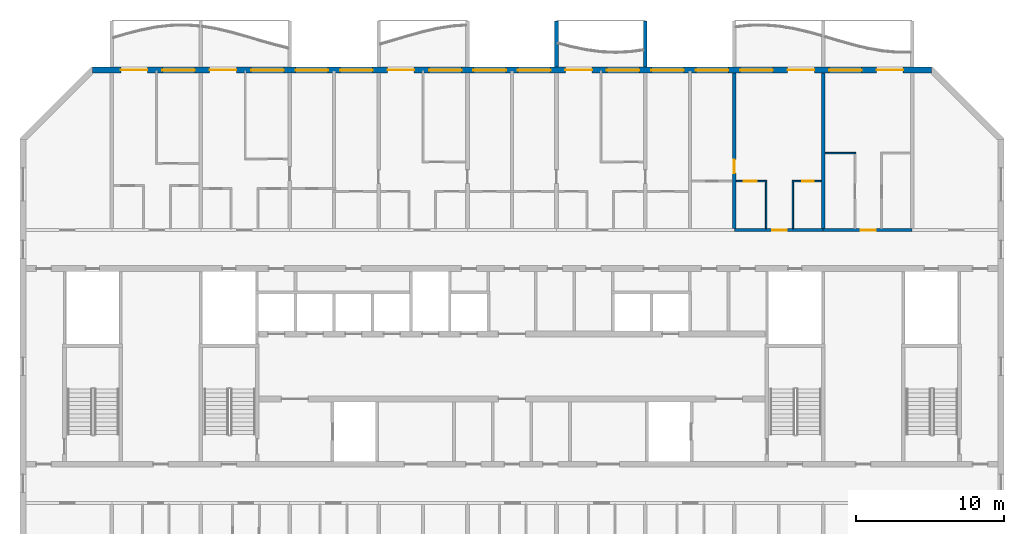
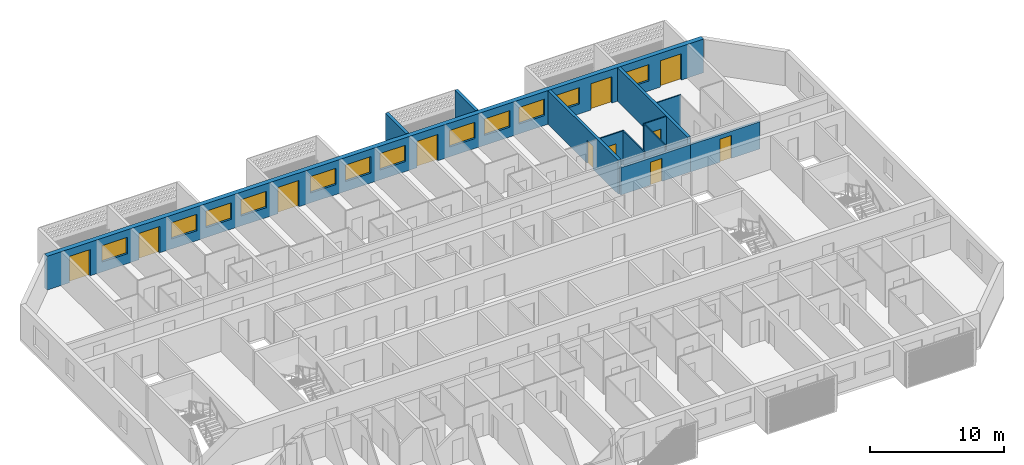
# One storey, part 10 of 27: 12 walls, 12 windows, 11 doors, 23 openings.
"""IFC4 building model written with IfcOpenShell, lengths in metres."""

import ifcopenshell
import ifcopenshell.guid

model = None  # the IFC model being written
_history = None  # IfcOwnerHistory: only IFC2X3 demands one
_inside = {}  # id of a spatial element -> (the spatial element, [elements in it])
_under = {}  # id of a project, library or spatial element -> (it, [spatial elements below it])
_declared = {}  # id of a project -> (the project, [libraries it declares])
_typed = {}  # id of a type object -> (the type object, [elements of that type])
_made_of = {}  # id of a material, layer set ... -> (it, [elements and type objects made of it])


def new_model(schema):
    """Start an empty IFC model of exactly this schema.

    Asked for "IFC4X3", IfcOpenShell would pick the latest addendum, in which some entities
    have other attributes; the version numbers below select the first issue.
    IFC2X3 requires an IfcOwnerHistory on every rooted entity: one is made here for all.
    """
    global model, _history
    if schema == "IFC4X3":
        model = ifcopenshell.file(schema_version=(4, 3, 0, 0))
    else:
        model = ifcopenshell.file(schema=schema)
    _inside.clear()
    _under.clear()
    _declared.clear()
    _typed.clear()
    _made_of.clear()
    _history = None
    if model.schema == "IFC2X3":
        org = make("IfcOrganization", Name="unknown")
        user = make(
            "IfcPersonAndOrganization",
            ThePerson=make("IfcPerson", FamilyName="unknown"),
            TheOrganization=org,
        )
        app = make(
            "IfcApplication",
            ApplicationDeveloper=org,
            Version="unknown",
            ApplicationFullName="unknown",
            ApplicationIdentifier="unknown",
        )
        _history = make(
            "IfcOwnerHistory",
            OwningUser=user,
            OwningApplication=app,
            ChangeAction="ADDED",
            CreationDate=0,
        )
    return model


def make(cls, **values):
    """One entity of the class cls with the attributes given. An attribute that is None is left unset."""
    return model.create_entity(
        cls, **{name: value for name, value in values.items() if value is not None}
    )


def rooted(cls, **values):
    """An entity with a GlobalId (a new one), such as an element, a storey or a relation."""
    return make(cls, GlobalId=ifcopenshell.guid.new(), OwnerHistory=_history, **values)


def si_unit(unit_type, name, prefix=None):
    """IfcSIUnit, for example si_unit("LENGTHUNIT", "METRE", prefix="MILLI")."""
    return make("IfcSIUnit", UnitType=unit_type, Prefix=prefix, Name=name)


def assignment(units):
    """IfcUnitAssignment: the units of a project."""
    return None if units is None else make("IfcUnitAssignment", Units=units)


def point(xyz):
    """IfcCartesianPoint."""
    return None if xyz is None else make("IfcCartesianPoint", Coordinates=xyz)


def direction(xyz):
    """IfcDirection."""
    return None if xyz is None else make("IfcDirection", DirectionRatios=xyz)


def frame(location, z_axis=None, x_axis=None):
    """IfcAxis2Placement3D, a coordinate frame: its origin and axes. An axis left out is left unset."""
    return make(
        "IfcAxis2Placement3D",
        Location=point(location),
        Axis=direction(z_axis),
        RefDirection=direction(x_axis),
    )


def frame_2d(location, x_axis=None):
    """IfcAxis2Placement2D, a coordinate frame in the plane: its origin and x axis."""
    return make(
        "IfcAxis2Placement2D", Location=point(location), RefDirection=direction(x_axis)
    )


def origin():
    """The frame at (0, 0, 0) with its axes left unset."""
    return frame((0.0, 0.0, 0.0))


def place(relative_to, where):
    """IfcLocalPlacement: puts the frame where relative to a parent placement (None: the world)."""
    return make(
        "IfcLocalPlacement", PlacementRelTo=relative_to, RelativePlacement=where
    )


def context(
    kind, dimensions, precision=None, world=None, true_north=None, identifier=None
):
    """IfcGeometricRepresentationContext, for example the 3D "Model" context."""
    return make(
        "IfcGeometricRepresentationContext",
        ContextIdentifier=identifier,
        ContextType=kind,
        CoordinateSpaceDimension=dimensions,
        Precision=precision,
        WorldCoordinateSystem=world,
        TrueNorth=true_north,
    )


def subcontext(parent, identifier, kind, view, scale=None):
    """IfcGeometricRepresentationSubContext, for example "Body" below "Model"."""
    return make(
        "IfcGeometricRepresentationSubContext",
        ContextIdentifier=identifier,
        ContextType=kind,
        ParentContext=parent,
        TargetScale=scale,
        TargetView=view,
    )


def project(units=None, contexts=None):
    """IfcProject with its units and contexts."""
    return rooted(
        "IfcProject",
        Name="project",
        RepresentationContexts=contexts,
        UnitsInContext=assignment(units),
    )


def spatial(cls, under=None, at=None, **own):
    """A site, building, storey or space (cls), placed at a placement, below another one or the project."""
    s = rooted(cls, ObjectPlacement=at, **own)
    if under is not None:
        _under.setdefault(under.id(), (under, []))[1].append(s)
    return s


def polyline(points):
    """IfcPolyline through the points."""
    return make("IfcPolyline", Points=[point(p) for p in points])


def profile(cls, at=None, kind="AREA", **sizes):
    """A parametric profile (cls). Its sizes go by their IFC names, for example OverallWidth=200.0."""
    return make(cls, ProfileType=kind, Position=at, **sizes)


def rectangle(**sizes):
    """IfcRectangleProfileDef."""
    return profile("IfcRectangleProfileDef", **sizes)


def outline(outer, holes=None, kind="AREA"):
    """IfcArbitraryClosedProfileDef: a profile drawn as a closed curve; with holes, ...WithVoids."""
    if holes is None:
        return make("IfcArbitraryClosedProfileDef", ProfileType=kind, OuterCurve=outer)
    return make(
        "IfcArbitraryProfileDefWithVoids",
        ProfileType=kind,
        OuterCurve=outer,
        InnerCurves=holes,
    )


def extrude(swept, where, along, depth):
    """IfcExtrudedAreaSolid: the profile swept, set in the frame where, extruded along a direction by depth."""
    return make(
        "IfcExtrudedAreaSolid",
        SweptArea=swept,
        Position=where,
        ExtrudedDirection=direction(along),
        Depth=depth,
    )


def shape(context_of_items, identifier, shape_type, items):
    """IfcShapeRepresentation: the items that make up one representation, for example the "Body"."""
    return make(
        "IfcShapeRepresentation",
        ContextOfItems=context_of_items,
        RepresentationIdentifier=identifier,
        RepresentationType=shape_type,
        Items=items,
    )


def source(mapping_origin, context_of_items, identifier, shape_type, items):
    """IfcRepresentationMap: a shape defined once, which mapped items show again and again."""
    return make(
        "IfcRepresentationMap",
        MappingOrigin=mapping_origin,
        MappedRepresentation=shape(context_of_items, identifier, shape_type, items),
    )


def transform(
    local_origin,
    x_axis=None,
    y_axis=None,
    z_axis=None,
    scale=None,
    scale2=None,
    scale3=None,
    uniform=True,
):
    """IfcCartesianTransformationOperator3D, or its non-uniform kind. x_axis, y_axis, z_axis: its Axis1, 2, 3."""
    if uniform:
        return make(
            "IfcCartesianTransformationOperator3D",
            Axis1=direction(x_axis),
            Axis2=direction(y_axis),
            LocalOrigin=point(local_origin),
            Scale=scale,
            Axis3=direction(z_axis),
        )
    return make(
        "IfcCartesianTransformationOperator3DnonUniform",
        Axis1=direction(x_axis),
        Axis2=direction(y_axis),
        LocalOrigin=point(local_origin),
        Scale=scale,
        Axis3=direction(z_axis),
        Scale2=scale2,
        Scale3=scale3,
    )


def mapped(mapping_source, mapping_target):
    """IfcMappedItem: shows the shape of a source again, moved by a transform."""
    return make(
        "IfcMappedItem", MappingSource=mapping_source, MappingTarget=mapping_target
    )


def material(Name=None, Category=None):
    """IfcMaterial."""
    return make("IfcMaterial", Name=Name, Category=Category)


def layer(
    of_material, thickness, ventilated=None, Name=None, Category=None, Priority=None
):
    """IfcMaterialLayer: one layer of a wall or slab, of a material (None: an air gap)."""
    return make(
        "IfcMaterialLayer",
        Material=of_material,
        LayerThickness=thickness,
        IsVentilated=ventilated,
        Name=Name,
        Category=Category,
        Priority=Priority,
    )


def layer_set(layers, Name=None):
    """IfcMaterialLayerSet."""
    return make("IfcMaterialLayerSet", MaterialLayers=layers, LayerSetName=Name)


def made_of(thing, what):
    """Note that an element or type object is made of a material, layer set ...; save() writes the relation."""
    if what is not None:
        _made_of.setdefault(what.id(), (what, []))[1].append(thing)
    return thing


def type_object(cls, material=None, **own):
    """A type object (cls), such as IfcWallType, which elements share."""
    return made_of(rooted(cls, **own), material)


def element(
    cls,
    number,
    at=None,
    inside=None,
    cuts=None,
    type_object=None,
    material=None,
    context=None,
    identifier="Body",
    shape_type=None,
    held_by="IfcProductDefinitionShape",
    body=None,
    shapes=None,
    **own,
):
    """One element of the class cls, such as IfcWall. Its Tag is "e" and its number.

    at: its placement. inside: the storey or other place that contains it. cuts: it is an
    opening in that element (IfcRelVoidsElement). A single representation is given by context,
    identifier, shape_type and body (its items); several are given by shapes. held_by: the class
    of the entity that holds the representations. save() writes the other relations.
    """
    e = rooted(cls, Tag="e%d" % number, ObjectPlacement=at, **own)
    if body is not None:
        shapes = [shape(context, identifier, shape_type, body)]
    if shapes is not None:
        e.Representation = make(held_by, Representations=shapes)
    if inside is not None:
        _inside.setdefault(inside.id(), (inside, []))[1].append(e)
    if cuts is not None:
        rooted(
            "IfcRelVoidsElement", RelatingBuildingElement=cuts, RelatedOpeningElement=e
        )
    if type_object is not None:
        _typed.setdefault(type_object.id(), (type_object, []))[1].append(e)
    return made_of(e, material)


def fill(opening, filler):
    """IfcRelFillsElement: the door or window that sits in an opening."""
    return rooted(
        "IfcRelFillsElement",
        RelatingOpeningElement=opening,
        RelatedBuildingElement=filler,
    )


def aggregate(whole, parts):
    """IfcRelAggregates: a whole, such as a stair, and the parts it consists of."""
    return rooted("IfcRelAggregates", RelatingObject=whole, RelatedObjects=parts)


def save(model, path):
    """Write the relations noted so far, then the file.

    IfcRelAggregates (storeys below a building ...), IfcRelContainedInSpatialStructure (elements
    in a storey), IfcRelDefinesByType, IfcRelAssociatesMaterial and IfcRelDeclares: one each for
    every whole, place, type object, material and project.
    """
    for whole, parts in _under.values():
        aggregate(whole, parts)
    for where, things in _inside.values():
        rooted(
            "IfcRelContainedInSpatialStructure",
            RelatedElements=things,
            RelatingStructure=where,
        )
    for kind, things in _typed.values():
        rooted("IfcRelDefinesByType", RelatedObjects=things, RelatingType=kind)
    for what, things in _made_of.values():
        rooted("IfcRelAssociatesMaterial", RelatedObjects=things, RelatingMaterial=what)
    for by, libraries in _declared.values():
        rooted("IfcRelDeclares", RelatingContext=by, RelatedDefinitions=libraries)
    model.write(path)


model = new_model("IFC4")

# Units and contexts
model_context = context("Model", 3, precision=1e-05, world=origin(), true_north=direction((0.0, 1.0)))
body_context = subcontext(model_context, "Body", "Model", "MODEL_VIEW")
ifc_project = project(units=[si_unit("LENGTHUNIT", "METRE"), si_unit("AREAUNIT", "SQUARE_METRE"), si_unit("VOLUMEUNIT", "CUBIC_METRE"), si_unit("PLANEANGLEUNIT", "RADIAN"), si_unit("MASSUNIT", "GRAM", prefix="KILO")], contexts=[model_context])

# Site, building, storey
site_placement = place(None, origin())
site = spatial("IfcSite", under=ifc_project, at=site_placement, CompositionType="ELEMENT")
building_placement = place(site_placement, origin())
building = spatial("IfcBuilding", under=site, at=building_placement, Name="Poui Terraces", CompositionType="ELEMENT")
storey_placement = place(building_placement, frame((0.0, 0.0, 198.300048828125)))
storey = spatial("IfcBuildingStorey", under=building, at=storey_placement, Name="L55", CompositionType="ELEMENT", Elevation=198.300048828125)

# Wall, opening, door
ifc_material_1 = material(Name="Concrete 50 MPa", Category="concrete")
ifc_layer_1 = layer(ifc_material_1, 0.199951171875)
ifc_layer_set_1 = layer_set([ifc_layer_1], Name="Concrete 50 MPa")
wall_type_1 = type_object("IfcWallType", Name="CORRIDOR WALL 200 50MPa", PredefinedType="SHEAR", material=ifc_layer_set_1)
wall_1_placement = place(storey_placement, frame((66.0, 30.39990234375, 0.0), z_axis=(0.0, 0.0, 1.0), x_axis=(1.0, 0.0, 0.0)))
wall_1 = element("IfcWall", 1, at=wall_1_placement, inside=storey, type_object=wall_type_1, Name="CORRIDOR WALL LINE E BAY 9", PredefinedType="SHEAR", context=body_context, shape_type="SweptSolid", body=[
    extrude(rectangle(XDim=6.0, YDim=0.199951171875, at=frame_2d((3.0, 0.0))), origin(), (0.0, 0.0, 1.0), 2.47998046875),
])
opening_1_placement = place(wall_1_placement, frame((2.550048828125, 0.0, 0.0)))
opening_1 = element("IfcOpeningElement", 2, at=opening_1_placement, cuts=wall_1, Name="Opening FD30S", PredefinedType="OPENING", context=body_context, shape_type="SweptSolid", body=[
    extrude(rectangle(XDim=1.0, YDim=2.10009765625, at=frame_2d((0.5, 1.050048828125))), frame((0.0, 0.10986328125, 0.0), z_axis=(0.0, -1.0, 0.0), x_axis=(1.0, 0.0, 0.0)), (0.0, 0.0, 1.0), 0.219970703125),
])
ifc_material_2 = material(Name="Steel fire door", Category="steel")
door_type_1 = type_object("IfcDoorType", Name="FLAT ENTRANCE DOOR 1000 X 2100", OperationType="NOTDEFINED", PredefinedType="DOOR", material=ifc_material_2)
door_1_placement = place(opening_1_placement, origin())
door_1 = element("IfcDoor", 3, at=door_1_placement, inside=storey, type_object=door_type_1, Name="FLAT ENTRANCE DOOR 057", OperationType="SINGLE_SWING_RIGHT", OverallHeight=2.10009765625, OverallWidth=1.0, PredefinedType="DOOR", context=body_context, shape_type="SweptSolid", body=[
    extrude(rectangle(XDim=1.0, YDim=2.10009765625, at=frame_2d((0.5, 1.050048828125))), frame((0.0, 0.02490234375, 0.0), z_axis=(0.0, -1.0, 0.0), x_axis=(1.0, 0.0, 0.0)), (0.0, 0.0, 1.0), 0.050048828125),
])
fill(opening_1, door_1)

wall_2_placement = place(storey_placement, frame((72.0, 30.39990234375, 0.0), z_axis=(0.0, 0.0, 1.0), x_axis=(1.0, 0.0, 0.0)))
wall_2 = element("IfcWall", 4, at=wall_2_placement, inside=storey, type_object=wall_type_1, Name="CORRIDOR WALL LINE E BAY 10", PredefinedType="SHEAR", context=body_context, shape_type="SweptSolid", body=[
    extrude(rectangle(XDim=6.0, YDim=0.199951171875, at=frame_2d((3.0, 0.0))), origin(), (0.0, 0.0, 1.0), 2.47998046875),
])
opening_2_placement = place(wall_2_placement, frame((2.550048828125, 0.0, 0.0)))
opening_2 = element("IfcOpeningElement", 5, at=opening_2_placement, cuts=wall_2, Name="Opening FD30S", PredefinedType="OPENING", context=body_context, shape_type="SweptSolid", body=[
    extrude(rectangle(XDim=1.0, YDim=2.10009765625, at=frame_2d((0.5, 1.050048828125))), frame((0.0, 0.10986328125, 0.0), z_axis=(0.0, -1.0, 0.0), x_axis=(1.0, 0.0, 0.0)), (0.0, 0.0, 1.0), 0.219970703125),
])
door_2_placement = place(opening_2_placement, origin())
door_2 = element("IfcDoor", 6, at=door_2_placement, inside=storey, type_object=door_type_1, Name="FLAT ENTRANCE DOOR 060", OperationType="SINGLE_SWING_RIGHT", OverallHeight=2.10009765625, OverallWidth=1.0, PredefinedType="DOOR", context=body_context, shape_type="SweptSolid", body=[
    extrude(rectangle(XDim=1.0, YDim=2.10009765625, at=frame_2d((0.5, 1.050048828125))), frame((0.0, 0.02490234375, 0.0), z_axis=(0.0, -1.0, 0.0), x_axis=(1.0, 0.0, 0.0)), (0.0, 0.0, 1.0), 0.050048828125),
])
fill(opening_2, door_2)

ifc_layer_2 = layer(ifc_material_1, 0.25)
ifc_layer_set_2 = layer_set([ifc_layer_2], Name="Concrete 50 MPa")
wall_type_2 = type_object("IfcWallType", Name="CROSS WALL 250 50MPa", PredefinedType="SHEAR", material=ifc_layer_set_2)
wall_3_placement = place(storey_placement, frame((66.0, 30.5, 0.0), z_axis=(0.0, 0.0, 1.0), x_axis=(0.0, 1.0, 0.0)))
wall_3 = element("IfcWall", 7, at=wall_3_placement, inside=storey, type_object=wall_type_2, Name="CROSS WALL LINE 12 NORTH", PredefinedType="SHEAR", context=body_context, shape_type="SweptSolid", body=[
    extrude(rectangle(XDim=10.5, YDim=0.25, at=frame_2d((5.25, 0.0))), origin(), (0.0, 0.0, 1.0), 3.079833984375),
])
opening_3_placement = place(wall_3_placement, frame((3.75, 0.0, 0.0)))
opening_3 = element("IfcOpeningElement", 8, at=opening_3_placement, cuts=wall_3, Name="Opening D90", PredefinedType="OPENING", context=body_context, shape_type="SweptSolid", body=[
    extrude(rectangle(XDim=0.89990234375, YDim=2.10009765625, at=frame_2d((0.449951171875, 1.050048828125))), frame((0.0, 0.135009765625, 0.0), z_axis=(0.0, -1.0, 0.0), x_axis=(1.0, 0.0, 0.0)), (0.0, 0.0, 1.0), 0.27001953125),
])
ifc_material_3 = material(Name="Solid core timber door", Category="wood")
door_type_2 = type_object("IfcDoorType", Name="INTERNAL DOOR 900 X 2100", OperationType="NOTDEFINED", PredefinedType="DOOR", material=ifc_material_3)
door_3_placement = place(opening_3_placement, origin())
door_3 = element("IfcDoor", 9, at=door_3_placement, inside=storey, type_object=door_type_2, Name="INTERNAL DOOR 055", OperationType="SINGLE_SWING_LEFT", OverallHeight=2.10009765625, OverallWidth=0.89990234375, PredefinedType="DOOR", context=body_context, shape_type="SweptSolid", body=[
    extrude(rectangle(XDim=0.89990234375, YDim=2.10009765625, at=frame_2d((0.449951171875, 1.050048828125))), frame((0.0, 0.02490234375, 0.0), z_axis=(0.0, -1.0, 0.0), x_axis=(1.0, 0.0, 0.0)), (0.0, 0.0, 1.0), 0.050048828125),
])
fill(opening_3, door_3)

# Wall
wall_4_placement = place(storey_placement, frame((72.0, 30.5, 0.0), z_axis=(0.0, 0.0, 1.0), x_axis=(0.0, 1.0, 0.0)))
element("IfcWall", 10, at=wall_4_placement, inside=storey, type_object=wall_type_2, Name="CROSS WALL LINE 13 NORTH", PredefinedType="SHEAR", context=body_context, shape_type="SweptSolid", body=[
    extrude(rectangle(XDim=10.5, YDim=0.25, at=frame_2d((5.25, 0.0))), origin(), (0.0, 0.0, 1.0), 3.079833984375),
])

# Wall, openings, doors, windows
ifc_material_4 = material(Name="Precast concrete 40 MPa", Category="concrete")
ifc_layer_3 = layer(ifc_material_4, 0.39990234375)
ifc_layer_set_3 = layer_set([ifc_layer_3], Name="Precast concrete 40 MPa")
wall_type_3 = type_object("IfcWallType", Name="EXTERNAL WALL 400", PredefinedType="STANDARD", material=ifc_layer_set_3)
wall_5_placement = place(storey_placement, frame((79.317138671875, 41.199951171875, 0.0), z_axis=(0.0, 0.0, 1.0), x_axis=(-1.0, 0.0, 0.0)))
wall_5 = element("IfcWall", 11, at=wall_5_placement, inside=storey, type_object=wall_type_3, Name="EXTERNAL WALL N", PredefinedType="STANDARD", context=body_context, shape_type="SweptSolid", body=[
    extrude(rectangle(XDim=56.63427734375, YDim=0.39990234375, at=frame_2d((28.317138671875, 0.0))), origin(), (0.0, 0.0, 1.0), 3.079833984375),
])
opening_4_placement = place(wall_5_placement, frame((52.917236328125, 0.0, 0.0)))
opening_4 = element("IfcOpeningElement", 12, at=opening_4_placement, cuts=wall_5, Name="Opening BD1", PredefinedType="OPENING", context=body_context, shape_type="SweptSolid", body=[
    extrude(rectangle(XDim=1.800048828125, YDim=2.39990234375, at=frame_2d((0.89990234375, 1.199951171875))), frame((0.0, 0.2099609375, 0.0), z_axis=(0.0, -1.0, 0.0), x_axis=(1.0, 0.0, 0.0)), (0.0, 0.0, 1.0), 0.419921875),
])
opening_5_placement = place(wall_5_placement, frame((49.71728515625, 0.0, 0.89990234375)))
opening_5 = element("IfcOpeningElement", 13, at=opening_5_placement, cuts=wall_5, Name="Opening W1", PredefinedType="OPENING", context=body_context, shape_type="SweptSolid", body=[
    extrude(rectangle(XDim=2.199951171875, YDim=1.5, at=frame_2d((1.10009765625, 0.75))), frame((0.0, 0.2099609375, 0.0), z_axis=(0.0, -1.0, 0.0), x_axis=(1.0, 0.0, 0.0)), (0.0, 0.0, 1.0), 0.419921875),
])
opening_6_placement = place(wall_5_placement, frame((46.917236328125, 0.0, 0.0)))
opening_6 = element("IfcOpeningElement", 14, at=opening_6_placement, cuts=wall_5, Name="Opening BD1", PredefinedType="OPENING", context=body_context, shape_type="SweptSolid", body=[
    extrude(rectangle(XDim=1.800048828125, YDim=2.39990234375, at=frame_2d((0.89990234375, 1.199951171875))), frame((0.0, 0.2099609375, 0.0), z_axis=(0.0, -1.0, 0.0), x_axis=(1.0, 0.0, 0.0)), (0.0, 0.0, 1.0), 0.419921875),
])
opening_7_placement = place(wall_5_placement, frame((43.71728515625, 0.0, 0.89990234375)))
opening_7 = element("IfcOpeningElement", 15, at=opening_7_placement, cuts=wall_5, Name="Opening W1", PredefinedType="OPENING", context=body_context, shape_type="SweptSolid", body=[
    extrude(rectangle(XDim=2.199951171875, YDim=1.5, at=frame_2d((1.10009765625, 0.75))), frame((0.0, 0.2099609375, 0.0), z_axis=(0.0, -1.0, 0.0), x_axis=(1.0, 0.0, 0.0)), (0.0, 0.0, 1.0), 0.419921875),
])
opening_8_placement = place(wall_5_placement, frame((40.71728515625, 0.0, 0.89990234375)))
opening_8 = element("IfcOpeningElement", 16, at=opening_8_placement, cuts=wall_5, Name="Opening W1", PredefinedType="OPENING", context=body_context, shape_type="SweptSolid", body=[
    extrude(rectangle(XDim=2.199951171875, YDim=1.5, at=frame_2d((1.10009765625, 0.75))), frame((0.0, 0.2099609375, 0.0), z_axis=(0.0, -1.0, 0.0), x_axis=(1.0, 0.0, 0.0)), (0.0, 0.0, 1.0), 0.419921875),
])
opening_9_placement = place(wall_5_placement, frame((37.71728515625, 0.0, 0.89990234375)))
opening_9 = element("IfcOpeningElement", 17, at=opening_9_placement, cuts=wall_5, Name="Opening W1", PredefinedType="OPENING", context=body_context, shape_type="SweptSolid", body=[
    extrude(rectangle(XDim=2.199951171875, YDim=1.5, at=frame_2d((1.10009765625, 0.75))), frame((0.0, 0.2099609375, 0.0), z_axis=(0.0, -1.0, 0.0), x_axis=(1.0, 0.0, 0.0)), (0.0, 0.0, 1.0), 0.419921875),
])
opening_10_placement = place(wall_5_placement, frame((34.917236328125, 0.0, 0.0)))
opening_10 = element("IfcOpeningElement", 18, at=opening_10_placement, cuts=wall_5, Name="Opening BD1", PredefinedType="OPENING", context=body_context, shape_type="SweptSolid", body=[
    extrude(rectangle(XDim=1.800048828125, YDim=2.39990234375, at=frame_2d((0.89990234375, 1.199951171875))), frame((0.0, 0.2099609375, 0.0), z_axis=(0.0, -1.0, 0.0), x_axis=(1.0, 0.0, 0.0)), (0.0, 0.0, 1.0), 0.419921875),
])
opening_11_placement = place(wall_5_placement, frame((31.71728515625, 0.0, 0.89990234375)))
opening_11 = element("IfcOpeningElement", 19, at=opening_11_placement, cuts=wall_5, Name="Opening W1", PredefinedType="OPENING", context=body_context, shape_type="SweptSolid", body=[
    extrude(rectangle(XDim=2.199951171875, YDim=1.5, at=frame_2d((1.10009765625, 0.75))), frame((0.0, 0.2099609375, 0.0), z_axis=(0.0, -1.0, 0.0), x_axis=(1.0, 0.0, 0.0)), (0.0, 0.0, 1.0), 0.419921875),
])
opening_12_placement = place(wall_5_placement, frame((28.71728515625, 0.0, 0.89990234375)))
opening_12 = element("IfcOpeningElement", 20, at=opening_12_placement, cuts=wall_5, Name="Opening W1", PredefinedType="OPENING", context=body_context, shape_type="SweptSolid", body=[
    extrude(rectangle(XDim=2.199951171875, YDim=1.5, at=frame_2d((1.10009765625, 0.75))), frame((0.0, 0.2099609375, 0.0), z_axis=(0.0, -1.0, 0.0), x_axis=(1.0, 0.0, 0.0)), (0.0, 0.0, 1.0), 0.419921875),
])
opening_13_placement = place(wall_5_placement, frame((25.71728515625, 0.0, 0.89990234375)))
opening_13 = element("IfcOpeningElement", 21, at=opening_13_placement, cuts=wall_5, Name="Opening W1", PredefinedType="OPENING", context=body_context, shape_type="SweptSolid", body=[
    extrude(rectangle(XDim=2.199951171875, YDim=1.5, at=frame_2d((1.10009765625, 0.75))), frame((0.0, 0.2099609375, 0.0), z_axis=(0.0, -1.0, 0.0), x_axis=(1.0, 0.0, 0.0)), (0.0, 0.0, 1.0), 0.419921875),
])
opening_14_placement = place(wall_5_placement, frame((22.917236328125, 0.0, 0.0)))
opening_14 = element("IfcOpeningElement", 22, at=opening_14_placement, cuts=wall_5, Name="Opening BD1", PredefinedType="OPENING", context=body_context, shape_type="SweptSolid", body=[
    extrude(rectangle(XDim=1.800048828125, YDim=2.39990234375, at=frame_2d((0.89990234375, 1.199951171875))), frame((0.0, 0.2099609375, 0.0), z_axis=(0.0, -1.0, 0.0), x_axis=(1.0, 0.0, 0.0)), (0.0, 0.0, 1.0), 0.419921875),
])
opening_15_placement = place(wall_5_placement, frame((19.71728515625, 0.0, 0.89990234375)))
opening_15 = element("IfcOpeningElement", 23, at=opening_15_placement, cuts=wall_5, Name="Opening W1", PredefinedType="OPENING", context=body_context, shape_type="SweptSolid", body=[
    extrude(rectangle(XDim=2.199951171875, YDim=1.5, at=frame_2d((1.10009765625, 0.75))), frame((0.0, 0.2099609375, 0.0), z_axis=(0.0, -1.0, 0.0), x_axis=(1.0, 0.0, 0.0)), (0.0, 0.0, 1.0), 0.419921875),
])
opening_16_placement = place(wall_5_placement, frame((16.71728515625, 0.0, 0.89990234375)))
opening_16 = element("IfcOpeningElement", 24, at=opening_16_placement, cuts=wall_5, Name="Opening W1", PredefinedType="OPENING", context=body_context, shape_type="SweptSolid", body=[
    extrude(rectangle(XDim=2.199951171875, YDim=1.5, at=frame_2d((1.10009765625, 0.75))), frame((0.0, 0.2099609375, 0.0), z_axis=(0.0, -1.0, 0.0), x_axis=(1.0, 0.0, 0.0)), (0.0, 0.0, 1.0), 0.419921875),
])
opening_17_placement = place(wall_5_placement, frame((13.71728515625, 0.0, 0.89990234375)))
opening_17 = element("IfcOpeningElement", 25, at=opening_17_placement, cuts=wall_5, Name="Opening W1", PredefinedType="OPENING", context=body_context, shape_type="SweptSolid", body=[
    extrude(rectangle(XDim=2.199951171875, YDim=1.5, at=frame_2d((1.10009765625, 0.75))), frame((0.0, 0.2099609375, 0.0), z_axis=(0.0, -1.0, 0.0), x_axis=(1.0, 0.0, 0.0)), (0.0, 0.0, 1.0), 0.419921875),
])
opening_18_placement = place(wall_5_placement, frame((10.71728515625, 0.0, 0.89990234375)))
opening_18 = element("IfcOpeningElement", 26, at=opening_18_placement, cuts=wall_5, Name="Opening W1", PredefinedType="OPENING", context=body_context, shape_type="SweptSolid", body=[
    extrude(rectangle(XDim=2.199951171875, YDim=1.5, at=frame_2d((1.10009765625, 0.75))), frame((0.0, 0.2099609375, 0.0), z_axis=(0.0, -1.0, 0.0), x_axis=(1.0, 0.0, 0.0)), (0.0, 0.0, 1.0), 0.419921875),
])
opening_19_placement = place(wall_5_placement, frame((7.917236328125, 0.0, 0.0)))
opening_19 = element("IfcOpeningElement", 27, at=opening_19_placement, cuts=wall_5, Name="Opening BD1", PredefinedType="OPENING", context=body_context, shape_type="SweptSolid", body=[
    extrude(rectangle(XDim=1.800048828125, YDim=2.39990234375, at=frame_2d((0.89990234375, 1.199951171875))), frame((0.0, 0.2099609375, 0.0), z_axis=(0.0, -1.0, 0.0), x_axis=(1.0, 0.0, 0.0)), (0.0, 0.0, 1.0), 0.419921875),
])
opening_20_placement = place(wall_5_placement, frame((4.71728515625, 0.0, 0.89990234375)))
opening_20 = element("IfcOpeningElement", 28, at=opening_20_placement, cuts=wall_5, Name="Opening W1", PredefinedType="OPENING", context=body_context, shape_type="SweptSolid", body=[
    extrude(rectangle(XDim=2.199951171875, YDim=1.5, at=frame_2d((1.10009765625, 0.75))), frame((0.0, 0.2099609375, 0.0), z_axis=(0.0, -1.0, 0.0), x_axis=(1.0, 0.0, 0.0)), (0.0, 0.0, 1.0), 0.419921875),
])
opening_21_placement = place(wall_5_placement, frame((1.917236328125, 0.0, 0.0)))
opening_21 = element("IfcOpeningElement", 29, at=opening_21_placement, cuts=wall_5, Name="Opening BD1", PredefinedType="OPENING", context=body_context, shape_type="SweptSolid", body=[
    extrude(rectangle(XDim=1.800048828125, YDim=2.39990234375, at=frame_2d((0.89990234375, 1.199951171875))), frame((0.0, 0.2099609375, 0.0), z_axis=(0.0, -1.0, 0.0), x_axis=(1.0, 0.0, 0.0)), (0.0, 0.0, 1.0), 0.419921875),
])
ifc_material_5 = material(Name="Clear glass in aluminium frame", Category="aluminium")
door_type_3 = type_object("IfcDoorType", Name="BALCONY DOOR 1800X2400", OperationType="DOUBLE_DOOR_SLIDING", PredefinedType="DOOR", material=ifc_material_5)
door_4_placement = place(opening_4_placement, origin())
door_4 = element("IfcDoor", 30, at=door_4_placement, inside=storey, type_object=door_type_3, Name="BD1 BALCONY DOOR", OperationType="DOUBLE_DOOR_SLIDING", OverallHeight=2.39990234375, OverallWidth=1.800048828125, PredefinedType="DOOR", context=body_context, shape_type="SweptSolid", body=[
    extrude(rectangle(XDim=1.800048828125, YDim=2.39990234375, at=frame_2d((0.89990234375, 1.199951171875))), frame((0.0, 0.02490234375, 0.0), z_axis=(0.0, -1.0, 0.0), x_axis=(1.0, 0.0, 0.0)), (0.0, 0.0, 1.0), 0.050048828125),
])
fill(opening_4, door_4)
door_5_placement = place(opening_6_placement, origin())
door_5 = element("IfcDoor", 31, at=door_5_placement, inside=storey, type_object=door_type_3, Name="BD1 BALCONY DOOR", OperationType="DOUBLE_DOOR_SLIDING", OverallHeight=2.39990234375, OverallWidth=1.800048828125, PredefinedType="DOOR", context=body_context, shape_type="SweptSolid", body=[
    extrude(rectangle(XDim=1.800048828125, YDim=2.39990234375, at=frame_2d((0.89990234375, 1.199951171875))), frame((0.0, 0.02490234375, 0.0), z_axis=(0.0, -1.0, 0.0), x_axis=(1.0, 0.0, 0.0)), (0.0, 0.0, 1.0), 0.050048828125),
])
fill(opening_6, door_5)
door_6_placement = place(opening_10_placement, origin())
door_6 = element("IfcDoor", 32, at=door_6_placement, inside=storey, type_object=door_type_3, Name="BD1 BALCONY DOOR", OperationType="DOUBLE_DOOR_SLIDING", OverallHeight=2.39990234375, OverallWidth=1.800048828125, PredefinedType="DOOR", context=body_context, shape_type="SweptSolid", body=[
    extrude(rectangle(XDim=1.800048828125, YDim=2.39990234375, at=frame_2d((0.89990234375, 1.199951171875))), frame((0.0, 0.02490234375, 0.0), z_axis=(0.0, -1.0, 0.0), x_axis=(1.0, 0.0, 0.0)), (0.0, 0.0, 1.0), 0.050048828125),
])
fill(opening_10, door_6)
door_7_placement = place(opening_14_placement, origin())
door_7 = element("IfcDoor", 33, at=door_7_placement, inside=storey, type_object=door_type_3, Name="BD1 BALCONY DOOR", OperationType="DOUBLE_DOOR_SLIDING", OverallHeight=2.39990234375, OverallWidth=1.800048828125, PredefinedType="DOOR", context=body_context, shape_type="SweptSolid", body=[
    extrude(rectangle(XDim=1.800048828125, YDim=2.39990234375, at=frame_2d((0.89990234375, 1.199951171875))), frame((0.0, 0.02490234375, 0.0), z_axis=(0.0, -1.0, 0.0), x_axis=(1.0, 0.0, 0.0)), (0.0, 0.0, 1.0), 0.050048828125),
])
fill(opening_14, door_7)
door_8_placement = place(opening_19_placement, origin())
door_8 = element("IfcDoor", 34, at=door_8_placement, inside=storey, type_object=door_type_3, Name="BD1 BALCONY DOOR", OperationType="DOUBLE_DOOR_SLIDING", OverallHeight=2.39990234375, OverallWidth=1.800048828125, PredefinedType="DOOR", context=body_context, shape_type="SweptSolid", body=[
    extrude(rectangle(XDim=1.800048828125, YDim=2.39990234375, at=frame_2d((0.89990234375, 1.199951171875))), frame((0.0, 0.02490234375, 0.0), z_axis=(0.0, -1.0, 0.0), x_axis=(1.0, 0.0, 0.0)), (0.0, 0.0, 1.0), 0.050048828125),
])
fill(opening_19, door_8)
door_9_placement = place(opening_21_placement, origin())
door_9 = element("IfcDoor", 35, at=door_9_placement, inside=storey, type_object=door_type_3, Name="BD1 BALCONY DOOR", OperationType="DOUBLE_DOOR_SLIDING", OverallHeight=2.39990234375, OverallWidth=1.800048828125, PredefinedType="DOOR", context=body_context, shape_type="SweptSolid", body=[
    extrude(rectangle(XDim=1.800048828125, YDim=2.39990234375, at=frame_2d((0.89990234375, 1.199951171875))), frame((0.0, 0.02490234375, 0.0), z_axis=(0.0, -1.0, 0.0), x_axis=(1.0, 0.0, 0.0)), (0.0, 0.0, 1.0), 0.050048828125),
])
fill(opening_21, door_9)
window_type = type_object("IfcWindowType", Name="WINDOW 2200X1500", PartitioningType="DOUBLE_PANEL_HORIZONTAL", PredefinedType="WINDOW", material=ifc_material_5)
window_1_placement = place(opening_5_placement, origin())
window_1 = element("IfcWindow", 36, at=window_1_placement, inside=storey, type_object=window_type, Name="W1 WINDOW", OverallHeight=1.5, OverallWidth=2.199951171875, PartitioningType="DOUBLE_PANEL_HORIZONTAL", PredefinedType="WINDOW", context=body_context, shape_type="SweptSolid", body=[
    extrude(rectangle(XDim=2.199951171875, YDim=1.5, at=frame_2d((1.10009765625, 0.75))), frame((0.0, 0.030029296875, 0.0), z_axis=(0.0, -1.0, 0.0), x_axis=(1.0, 0.0, 0.0)), (0.0, 0.0, 1.0), 0.06005859375),
])
fill(opening_5, window_1)
window_2_placement = place(opening_7_placement, origin())
window_2 = element("IfcWindow", 37, at=window_2_placement, inside=storey, type_object=window_type, Name="W1 WINDOW", OverallHeight=1.5, OverallWidth=2.199951171875, PartitioningType="DOUBLE_PANEL_HORIZONTAL", PredefinedType="WINDOW", context=body_context, shape_type="SweptSolid", body=[
    extrude(rectangle(XDim=2.199951171875, YDim=1.5, at=frame_2d((1.10009765625, 0.75))), frame((0.0, 0.030029296875, 0.0), z_axis=(0.0, -1.0, 0.0), x_axis=(1.0, 0.0, 0.0)), (0.0, 0.0, 1.0), 0.06005859375),
])
fill(opening_7, window_2)
window_3_placement = place(opening_8_placement, origin())
window_3 = element("IfcWindow", 38, at=window_3_placement, inside=storey, type_object=window_type, Name="W1 WINDOW", OverallHeight=1.5, OverallWidth=2.199951171875, PartitioningType="DOUBLE_PANEL_HORIZONTAL", PredefinedType="WINDOW", context=body_context, shape_type="SweptSolid", body=[
    extrude(rectangle(XDim=2.199951171875, YDim=1.5, at=frame_2d((1.10009765625, 0.75))), frame((0.0, 0.030029296875, 0.0), z_axis=(0.0, -1.0, 0.0), x_axis=(1.0, 0.0, 0.0)), (0.0, 0.0, 1.0), 0.06005859375),
])
fill(opening_8, window_3)
window_4_placement = place(opening_9_placement, origin())
window_4 = element("IfcWindow", 39, at=window_4_placement, inside=storey, type_object=window_type, Name="W1 WINDOW", OverallHeight=1.5, OverallWidth=2.199951171875, PartitioningType="DOUBLE_PANEL_HORIZONTAL", PredefinedType="WINDOW", context=body_context, shape_type="SweptSolid", body=[
    extrude(rectangle(XDim=2.199951171875, YDim=1.5, at=frame_2d((1.10009765625, 0.75))), frame((0.0, 0.030029296875, 0.0), z_axis=(0.0, -1.0, 0.0), x_axis=(1.0, 0.0, 0.0)), (0.0, 0.0, 1.0), 0.06005859375),
])
fill(opening_9, window_4)
window_5_placement = place(opening_11_placement, origin())
window_5 = element("IfcWindow", 40, at=window_5_placement, inside=storey, type_object=window_type, Name="W1 WINDOW", OverallHeight=1.5, OverallWidth=2.199951171875, PartitioningType="DOUBLE_PANEL_HORIZONTAL", PredefinedType="WINDOW", context=body_context, shape_type="SweptSolid", body=[
    extrude(rectangle(XDim=2.199951171875, YDim=1.5, at=frame_2d((1.10009765625, 0.75))), frame((0.0, 0.030029296875, 0.0), z_axis=(0.0, -1.0, 0.0), x_axis=(1.0, 0.0, 0.0)), (0.0, 0.0, 1.0), 0.06005859375),
])
fill(opening_11, window_5)
window_6_placement = place(opening_12_placement, origin())
window_6 = element("IfcWindow", 41, at=window_6_placement, inside=storey, type_object=window_type, Name="W1 WINDOW", OverallHeight=1.5, OverallWidth=2.199951171875, PartitioningType="DOUBLE_PANEL_HORIZONTAL", PredefinedType="WINDOW", context=body_context, shape_type="SweptSolid", body=[
    extrude(rectangle(XDim=2.199951171875, YDim=1.5, at=frame_2d((1.10009765625, 0.75))), frame((0.0, 0.030029296875, 0.0), z_axis=(0.0, -1.0, 0.0), x_axis=(1.0, 0.0, 0.0)), (0.0, 0.0, 1.0), 0.06005859375),
])
fill(opening_12, window_6)
window_7_placement = place(opening_13_placement, origin())
window_7 = element("IfcWindow", 42, at=window_7_placement, inside=storey, type_object=window_type, Name="W1 WINDOW", OverallHeight=1.5, OverallWidth=2.199951171875, PartitioningType="DOUBLE_PANEL_HORIZONTAL", PredefinedType="WINDOW", context=body_context, shape_type="SweptSolid", body=[
    extrude(rectangle(XDim=2.199951171875, YDim=1.5, at=frame_2d((1.10009765625, 0.75))), frame((0.0, 0.030029296875, 0.0), z_axis=(0.0, -1.0, 0.0), x_axis=(1.0, 0.0, 0.0)), (0.0, 0.0, 1.0), 0.06005859375),
])
fill(opening_13, window_7)
window_8_placement = place(opening_15_placement, origin())
window_8 = element("IfcWindow", 43, at=window_8_placement, inside=storey, type_object=window_type, Name="W1 WINDOW", OverallHeight=1.5, OverallWidth=2.199951171875, PartitioningType="DOUBLE_PANEL_HORIZONTAL", PredefinedType="WINDOW", context=body_context, shape_type="SweptSolid", body=[
    extrude(rectangle(XDim=2.199951171875, YDim=1.5, at=frame_2d((1.10009765625, 0.75))), frame((0.0, 0.030029296875, 0.0), z_axis=(0.0, -1.0, 0.0), x_axis=(1.0, 0.0, 0.0)), (0.0, 0.0, 1.0), 0.06005859375),
])
fill(opening_15, window_8)
window_9_placement = place(opening_16_placement, origin())
window_9 = element("IfcWindow", 44, at=window_9_placement, inside=storey, type_object=window_type, Name="W1 WINDOW", OverallHeight=1.5, OverallWidth=2.199951171875, PartitioningType="DOUBLE_PANEL_HORIZONTAL", PredefinedType="WINDOW", context=body_context, shape_type="SweptSolid", body=[
    extrude(rectangle(XDim=2.199951171875, YDim=1.5, at=frame_2d((1.10009765625, 0.75))), frame((0.0, 0.030029296875, 0.0), z_axis=(0.0, -1.0, 0.0), x_axis=(1.0, 0.0, 0.0)), (0.0, 0.0, 1.0), 0.06005859375),
])
fill(opening_16, window_9)
window_10_placement = place(opening_17_placement, origin())
window_10 = element("IfcWindow", 45, at=window_10_placement, inside=storey, type_object=window_type, Name="W1 WINDOW", OverallHeight=1.5, OverallWidth=2.199951171875, PartitioningType="DOUBLE_PANEL_HORIZONTAL", PredefinedType="WINDOW", context=body_context, shape_type="SweptSolid", body=[
    extrude(rectangle(XDim=2.199951171875, YDim=1.5, at=frame_2d((1.10009765625, 0.75))), frame((0.0, 0.030029296875, 0.0), z_axis=(0.0, -1.0, 0.0), x_axis=(1.0, 0.0, 0.0)), (0.0, 0.0, 1.0), 0.06005859375),
])
fill(opening_17, window_10)
window_11_placement = place(opening_18_placement, origin())
window_11 = element("IfcWindow", 46, at=window_11_placement, inside=storey, type_object=window_type, Name="W1 WINDOW", OverallHeight=1.5, OverallWidth=2.199951171875, PartitioningType="DOUBLE_PANEL_HORIZONTAL", PredefinedType="WINDOW", context=body_context, shape_type="SweptSolid", body=[
    extrude(rectangle(XDim=2.199951171875, YDim=1.5, at=frame_2d((1.10009765625, 0.75))), frame((0.0, 0.030029296875, 0.0), z_axis=(0.0, -1.0, 0.0), x_axis=(1.0, 0.0, 0.0)), (0.0, 0.0, 1.0), 0.06005859375),
])
fill(opening_18, window_11)
window_12_placement = place(opening_20_placement, origin())
window_12 = element("IfcWindow", 47, at=window_12_placement, inside=storey, type_object=window_type, Name="W1 WINDOW", OverallHeight=1.5, OverallWidth=2.199951171875, PartitioningType="DOUBLE_PANEL_HORIZONTAL", PredefinedType="WINDOW", context=body_context, shape_type="SweptSolid", body=[
    extrude(rectangle(XDim=2.199951171875, YDim=1.5, at=frame_2d((1.10009765625, 0.75))), frame((0.0, 0.030029296875, 0.0), z_axis=(0.0, -1.0, 0.0), x_axis=(1.0, 0.0, 0.0)), (0.0, 0.0, 1.0), 0.06005859375),
])
fill(opening_20, window_12)

# Wall, opening, door
ifc_material_6 = material(Name="Plasterboard partition")
ifc_layer_4 = layer(ifc_material_6, 0.10009765625)
ifc_layer_set_4 = layer_set([ifc_layer_4], Name="Plasterboard partition")
wall_type_4 = type_object("IfcWallType", Name="FLAT PARTITION 100", PredefinedType="PARTITIONING", material=ifc_layer_set_4)
wall_6_placement = place(storey_placement, frame((66.135009765625, 33.699951171875, 0.0), z_axis=(0.0, 0.0, 1.0), x_axis=(1.0, 0.0, 0.0)))
wall_6 = element("IfcWall", 48, at=wall_6_placement, inside=storey, type_object=wall_type_4, Name="FLAT PARTITION 100", PredefinedType="PARTITIONING", context=body_context, shape_type="SweptSolid", body=[
    extrude(rectangle(XDim=2.06494140625, YDim=0.10009765625, at=frame_2d((1.032470703125, 0.0))), origin(), (0.0, 0.0, 1.0), 3.079833984375),
])
opening_22_placement = place(wall_6_placement, frame((0.489990234375, 0.0, 0.0)))
opening_22 = element("IfcOpeningElement", 49, at=opening_22_placement, cuts=wall_6, Name="Opening D90", PredefinedType="OPENING", context=body_context, shape_type="SweptSolid", body=[
    extrude(rectangle(XDim=0.89990234375, YDim=2.10009765625, at=frame_2d((0.449951171875, 1.050048828125))), frame((0.0, 0.06005859375, 0.0), z_axis=(0.0, -1.0, 0.0), x_axis=(1.0, 0.0, 0.0)), (0.0, 0.0, 1.0), 0.1201171875),
])
door_10_placement = place(opening_22_placement, frame((0.89990234375, 0.0, 0.0), z_axis=(0.0, 0.0, 1.0), x_axis=(-1.0, 0.0, 0.0)))
door_10 = element("IfcDoor", 50, at=door_10_placement, inside=storey, type_object=door_type_2, Name="INTERNAL DOOR 056", OperationType="SINGLE_SWING_RIGHT", OverallHeight=2.10009765625, OverallWidth=0.89990234375, PredefinedType="DOOR", context=body_context, shape_type="SweptSolid", body=[
    extrude(rectangle(XDim=0.89990234375, YDim=2.10009765625, at=frame_2d((0.449951171875, 1.050048828125))), frame((0.0, 0.02490234375, 0.0), z_axis=(0.0, -1.0, 0.0), x_axis=(1.0, 0.0, 0.0)), (0.0, 0.0, 1.0), 0.050048828125),
])
fill(opening_22, door_10)

wall_7_placement = place(storey_placement, frame((69.89990234375, 33.699951171875, 0.0), z_axis=(0.0, 0.0, 1.0), x_axis=(1.0, 0.0, 0.0)))
wall_7 = element("IfcWall", 51, at=wall_7_placement, inside=storey, type_object=wall_type_4, Name="FLAT PARTITION 100", PredefinedType="PARTITIONING", context=body_context, shape_type="SweptSolid", body=[
    extrude(rectangle(XDim=1.965087890625, YDim=0.10009765625, at=frame_2d((0.982421875, 0.0))), origin(), (0.0, 0.0, 1.0), 3.079833984375),
])
opening_23_placement = place(wall_7_placement, frame((0.675048828125, 0.0, 0.0)))
opening_23 = element("IfcOpeningElement", 52, at=opening_23_placement, cuts=wall_7, Name="Opening D80", PredefinedType="OPENING", context=body_context, shape_type="SweptSolid", body=[
    extrude(rectangle(XDim=0.800048828125, YDim=2.10009765625, at=frame_2d((0.39990234375, 1.050048828125))), frame((0.0, 0.06005859375, 0.0), z_axis=(0.0, -1.0, 0.0), x_axis=(1.0, 0.0, 0.0)), (0.0, 0.0, 1.0), 0.1201171875),
])
door_type_4 = type_object("IfcDoorType", Name="BATHROOM, LAUNDRY AND STORE DOOR 800 X 2100", OperationType="NOTDEFINED", PredefinedType="DOOR", material=ifc_material_3)
door_11_placement = place(opening_23_placement, frame((0.800048828125, 0.0, 0.0), z_axis=(0.0, 0.0, 1.0), x_axis=(-1.0, 0.0, 0.0)))
door_11 = element("IfcDoor", 53, at=door_11_placement, inside=storey, type_object=door_type_4, Name="BATHROOM, LAUNDRY AND STORE DOOR 058", OperationType="SINGLE_SWING_LEFT", OverallHeight=2.10009765625, OverallWidth=0.800048828125, PredefinedType="DOOR", context=body_context, shape_type="SweptSolid", body=[
    extrude(rectangle(XDim=0.800048828125, YDim=2.10009765625, at=frame_2d((0.39990234375, 1.050048828125))), frame((0.0, 0.02490234375, 0.0), z_axis=(0.0, -1.0, 0.0), x_axis=(1.0, 0.0, 0.0)), (0.0, 0.0, 1.0), 0.050048828125),
])
fill(opening_23, door_11)

# Walls
wall_8_placement = place(storey_placement, frame((72.135009765625, 35.60009765625, 0.0), z_axis=(0.0, 0.0, 1.0), x_axis=(1.0, 0.0, 0.0)))
element("IfcWall", 54, at=wall_8_placement, inside=storey, type_object=wall_type_4, Name="FLAT PARTITION 100", PredefinedType="PARTITIONING", context=body_context, shape_type="SweptSolid", body=[
    extrude(rectangle(XDim=2.06494140625, YDim=0.10009765625, at=frame_2d((1.032470703125, 0.0))), origin(), (0.0, 0.0, 1.0), 3.079833984375),
])
for number, where, z_axis, x_axis, name in (
    (55, (68.14990234375, 30.510009765625, 0.0), (0.0, 0.0, 1.0), (0.0, 1.0, 0.0), "FLAT PARTITION 100"),
    (56, (69.949951171875, 30.510009765625, 0.0), (0.0, 0.0, 1.0), (0.0, 1.0, 0.0), "FLAT PARTITION 100"),
):
    element("IfcWall", number, at=place(storey_placement, frame(where, z_axis=z_axis, x_axis=x_axis)), inside=storey, type_object=wall_type_4, Name=name, PredefinedType="PARTITIONING", context=body_context, shape_type="SweptSolid", body=[
        extrude(rectangle(XDim=3.139892578125, YDim=0.10009765625, at=frame_2d((1.56982421875, 0.0))), origin(), (0.0, 0.0, 1.0), 3.079833984375),
    ])
ifc_layer_5 = layer(ifc_material_4, 0.25)
ifc_layer_set_5 = layer_set([ifc_layer_5], Name="Precast concrete 40 MPa")
wall_type_5 = type_object("IfcWallType", Name="BALCONY FIN 250", PredefinedType="STANDARD", material=ifc_layer_set_5)
shared_shape = source(origin(), body_context, "Body", "SweptSolid", [
    extrude(outline(polyline([(0.0, 0.0), (0.25, 0.0), (0.25, 3.10009765625), (0.0, 3.10009765625), (0.0, 0.0)])), origin(), (0.0, 0.0, 1.0), 3.099853515625),
])
for number, where, name in (
    (57, (53.875, 41.39990234375, 0.0), "BALCONY FIN"),
    (58, (59.875, 41.39990234375, 0.0), "BALCONY FIN"),
):
    element("IfcWall", number, at=place(storey_placement, frame(where)), inside=storey, type_object=wall_type_5, Name=name, PredefinedType="STANDARD", context=body_context, shape_type="MappedRepresentation", body=[
        mapped(shared_shape, transform((0.0, 0.0, 0.0))),
    ])

save(model, "model.ifc")
